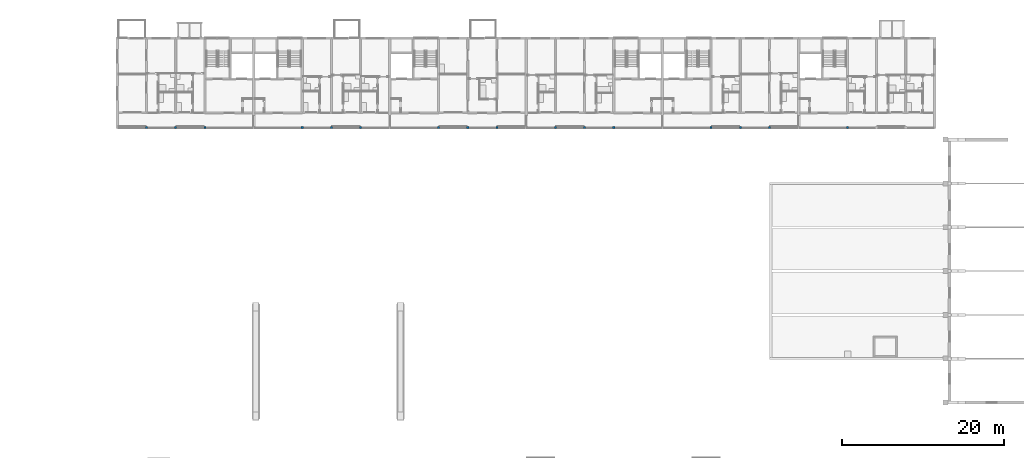
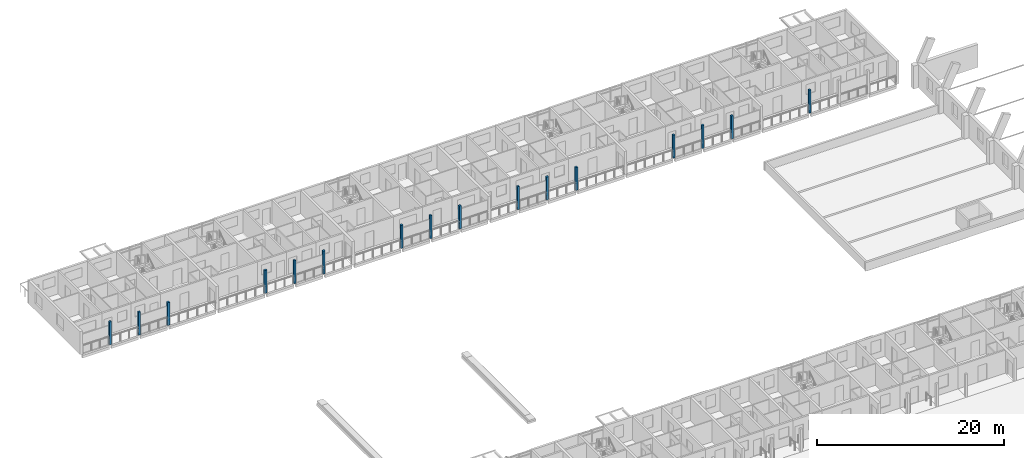
# One storey, part 4 of 115: 16 columns.
"""IFC4 building model written with IfcOpenShell, lengths in metres."""

from ifc_helpers import new_model, si_unit, direction, frame, origin, origin_2d, place, context, subcontext, project, spatial, rectangle, extrude, material, material_profile, profile_set, type_object, element, save


model = new_model("IFC4")

# Units and contexts
model_context = context("Model", 3, precision=1e-05, world=origin(), true_north=direction((0.0, 1.0)))
body_context = subcontext(model_context, "Body", "Model", "MODEL_VIEW")
ifc_project = project(units=[si_unit("LENGTHUNIT", "METRE"), si_unit("AREAUNIT", "SQUARE_METRE"), si_unit("VOLUMEUNIT", "CUBIC_METRE"), si_unit("PLANEANGLEUNIT", "RADIAN"), si_unit("MASSUNIT", "GRAM", prefix="KILO")], contexts=[model_context])

# Site, building, storey
site_placement = place(None, origin())
site = spatial("IfcSite", under=ifc_project, at=site_placement, CompositionType="ELEMENT")
building_placement = place(site_placement, origin())
building = spatial("IfcBuilding", under=site, at=building_placement, Name="Ridgestep Commons", CompositionType="ELEMENT")
storey_placement = place(building_placement, frame((0.0, 0.0, 6.0)))
storey = spatial("IfcBuildingStorey", under=building, at=storey_placement, Name="L02", CompositionType="ELEMENT", Elevation=6.0)

# Columns
ifc_material = material(Name="Precast concrete C40/50", Category="concrete")
ifc_material_profile = material_profile(ifc_material, rectangle(XDim=0.25, YDim=0.25, at=origin_2d()), Name="PC 250x250")
ifc_profile_set = profile_set([ifc_material_profile], Name="Precast concrete C40/50")
column_type = type_object("IfcColumnType", Name="Loggia column 250 x 250", PredefinedType="COLUMN", material=ifc_profile_set)
for number, where, z_axis, x_axis, name in (
    (1, (15.60009765625, 66.125, 0.0), (0.0, 0.0, 1.0), (1.0, 0.0, 0.0), "Loggia column B L02"),
    (2, (19.199951171875, 66.125, 0.0), (0.0, 0.0, 1.0), (1.0, 0.0, 0.0), "Loggia column B L02"),
    (3, (22.800048828125, 66.125, 0.0), (0.0, 0.0, 1.0), (1.0, 0.0, 0.0), "Loggia column B L02"),
    (4, (34.800048828125, 66.125, 0.0), (0.0, 0.0, 1.0), (1.0, 0.0, 0.0), "Loggia column B L02"),
    (5, (38.39990234375, 66.125, 0.0), (0.0, 0.0, 1.0), (1.0, 0.0, 0.0), "Loggia column B L02"),
    (6, (42.0, 66.125, 0.0), (0.0, 0.0, 1.0), (1.0, 0.0, 0.0), "Loggia column B L02"),
    (7, (51.60009765625, 66.125, 0.0), (0.0, 0.0, 1.0), (1.0, 0.0, 0.0), "Loggia column B L02"),
    (8, (55.199951171875, 66.125, 0.0), (0.0, 0.0, 1.0), (1.0, 0.0, 0.0), "Loggia column B L02"),
    (9, (58.800048828125, 66.125, 0.0), (0.0, 0.0, 1.0), (1.0, 0.0, 0.0), "Loggia column B L02"),
    (10, (66.0, 66.125, 0.0), (0.0, 0.0, 1.0), (1.0, 0.0, 0.0), "Loggia column B L02"),
    (11, (69.60009765625, 66.125, 0.0), (0.0, 0.0, 1.0), (1.0, 0.0, 0.0), "Loggia column B L02"),
    (12, (73.199951171875, 66.125, 0.0), (0.0, 0.0, 1.0), (1.0, 0.0, 0.0), "Loggia column B L02"),
    (13, (85.199951171875, 66.125, 0.0), (0.0, 0.0, 1.0), (1.0, 0.0, 0.0), "Loggia column B L02"),
    (14, (88.800048828125, 66.125, 0.0), (0.0, 0.0, 1.0), (1.0, 0.0, 0.0), "Loggia column B L02"),
    (15, (92.39990234375, 66.125, 0.0), (0.0, 0.0, 1.0), (1.0, 0.0, 0.0), "Loggia column B L02"),
    (16, (102.0, 66.125, 0.0), (0.0, 0.0, 1.0), (1.0, 0.0, 0.0), "Loggia column B L02"),
):
    element("IfcColumn", number, at=place(storey_placement, frame(where, z_axis=z_axis, x_axis=x_axis)), inside=storey, type_object=column_type, Name=name, PredefinedType="COLUMN", context=body_context, shape_type="SweptSolid", body=[
        extrude(rectangle(XDim=0.25, YDim=0.25, at=origin_2d()), origin(), (0.0, 0.0, 1.0), 3.0),
    ])

save(model, "model.ifc")
